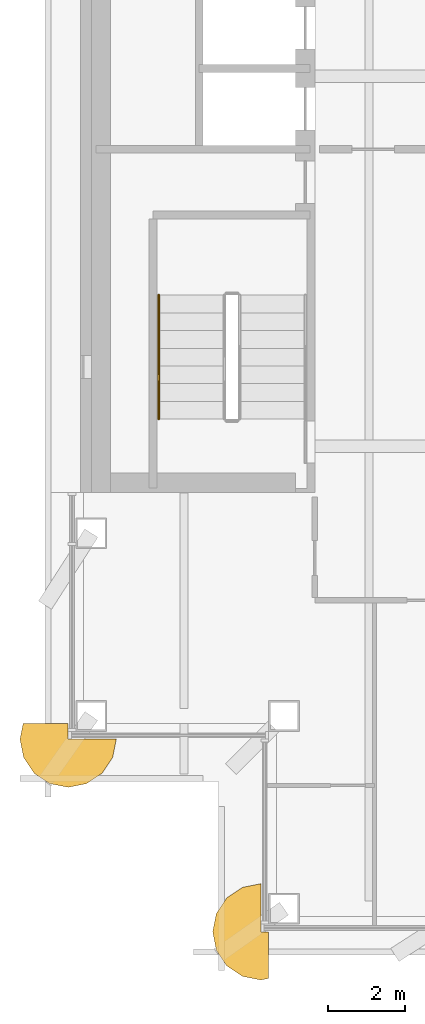
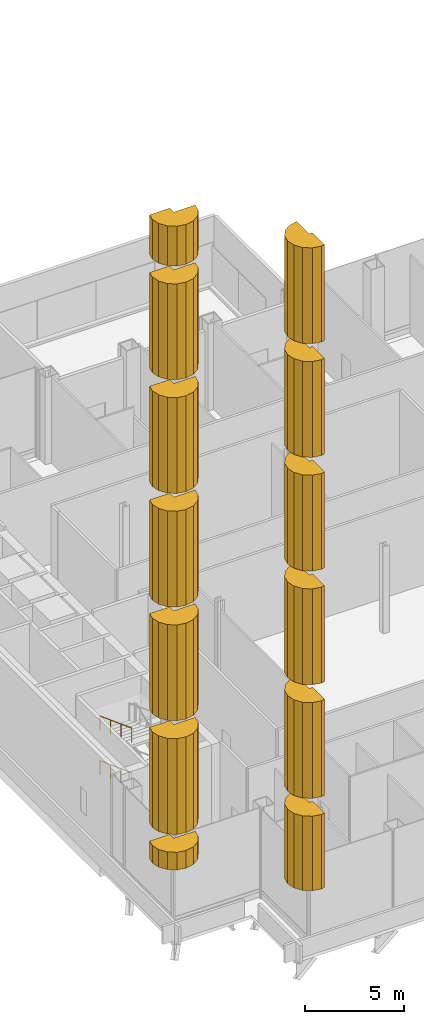
# One storey, part 15 of 22: 13 coverings, 2 railings.
"""IFC4 building model written with IfcOpenShell, lengths in metres."""

import ifcopenshell
import ifcopenshell.guid

model = None  # the IFC model being written
_history = None  # IfcOwnerHistory: only IFC2X3 demands one
_inside = {}  # id of a spatial element -> (the spatial element, [elements in it])
_under = {}  # id of a project, library or spatial element -> (it, [spatial elements below it])
_declared = {}  # id of a project -> (the project, [libraries it declares])
_typed = {}  # id of a type object -> (the type object, [elements of that type])
_made_of = {}  # id of a material, layer set ... -> (it, [elements and type objects made of it])


def new_model(schema):
    """Start an empty IFC model of exactly this schema.

    Asked for "IFC4X3", IfcOpenShell would pick the latest addendum, in which some entities
    have other attributes; the version numbers below select the first issue.
    IFC2X3 requires an IfcOwnerHistory on every rooted entity: one is made here for all.
    """
    global model, _history
    if schema == "IFC4X3":
        model = ifcopenshell.file(schema_version=(4, 3, 0, 0))
    else:
        model = ifcopenshell.file(schema=schema)
    _inside.clear()
    _under.clear()
    _declared.clear()
    _typed.clear()
    _made_of.clear()
    _history = None
    if model.schema == "IFC2X3":
        org = make("IfcOrganization", Name="unknown")
        user = make(
            "IfcPersonAndOrganization",
            ThePerson=make("IfcPerson", FamilyName="unknown"),
            TheOrganization=org,
        )
        app = make(
            "IfcApplication",
            ApplicationDeveloper=org,
            Version="unknown",
            ApplicationFullName="unknown",
            ApplicationIdentifier="unknown",
        )
        _history = make(
            "IfcOwnerHistory",
            OwningUser=user,
            OwningApplication=app,
            ChangeAction="ADDED",
            CreationDate=0,
        )
    return model


def make(cls, **values):
    """One entity of the class cls with the attributes given. An attribute that is None is left unset."""
    return model.create_entity(
        cls, **{name: value for name, value in values.items() if value is not None}
    )


def rooted(cls, **values):
    """An entity with a GlobalId (a new one), such as an element, a storey or a relation."""
    return make(cls, GlobalId=ifcopenshell.guid.new(), OwnerHistory=_history, **values)


def si_unit(unit_type, name, prefix=None):
    """IfcSIUnit, for example si_unit("LENGTHUNIT", "METRE", prefix="MILLI")."""
    return make("IfcSIUnit", UnitType=unit_type, Prefix=prefix, Name=name)


def assignment(units):
    """IfcUnitAssignment: the units of a project."""
    return None if units is None else make("IfcUnitAssignment", Units=units)


def point(xyz):
    """IfcCartesianPoint."""
    return None if xyz is None else make("IfcCartesianPoint", Coordinates=xyz)


def direction(xyz):
    """IfcDirection."""
    return None if xyz is None else make("IfcDirection", DirectionRatios=xyz)


def frame(location, z_axis=None, x_axis=None):
    """IfcAxis2Placement3D, a coordinate frame: its origin and axes. An axis left out is left unset."""
    return make(
        "IfcAxis2Placement3D",
        Location=point(location),
        Axis=direction(z_axis),
        RefDirection=direction(x_axis),
    )


def frame_2d(location, x_axis=None):
    """IfcAxis2Placement2D, a coordinate frame in the plane: its origin and x axis."""
    return make(
        "IfcAxis2Placement2D", Location=point(location), RefDirection=direction(x_axis)
    )


def origin():
    """The frame at (0, 0, 0) with its axes left unset."""
    return frame((0.0, 0.0, 0.0))


def origin_2d():
    """The frame at (0, 0) in the plane with its x axis left unset."""
    return frame_2d((0.0, 0.0))


def place(relative_to, where):
    """IfcLocalPlacement: puts the frame where relative to a parent placement (None: the world)."""
    return make(
        "IfcLocalPlacement", PlacementRelTo=relative_to, RelativePlacement=where
    )


def context(
    kind, dimensions, precision=None, world=None, true_north=None, identifier=None
):
    """IfcGeometricRepresentationContext, for example the 3D "Model" context."""
    return make(
        "IfcGeometricRepresentationContext",
        ContextIdentifier=identifier,
        ContextType=kind,
        CoordinateSpaceDimension=dimensions,
        Precision=precision,
        WorldCoordinateSystem=world,
        TrueNorth=true_north,
    )


def subcontext(parent, identifier, kind, view, scale=None):
    """IfcGeometricRepresentationSubContext, for example "Body" below "Model"."""
    return make(
        "IfcGeometricRepresentationSubContext",
        ContextIdentifier=identifier,
        ContextType=kind,
        ParentContext=parent,
        TargetScale=scale,
        TargetView=view,
    )


def project(units=None, contexts=None):
    """IfcProject with its units and contexts."""
    return rooted(
        "IfcProject",
        Name="project",
        RepresentationContexts=contexts,
        UnitsInContext=assignment(units),
    )


def spatial(cls, under=None, at=None, **own):
    """A site, building, storey or space (cls), placed at a placement, below another one or the project."""
    s = rooted(cls, ObjectPlacement=at, **own)
    if under is not None:
        _under.setdefault(under.id(), (under, []))[1].append(s)
    return s


def polyline(points):
    """IfcPolyline through the points."""
    return make("IfcPolyline", Points=[point(p) for p in points])


def profile(cls, at=None, kind="AREA", **sizes):
    """A parametric profile (cls). Its sizes go by their IFC names, for example OverallWidth=200.0."""
    return make(cls, ProfileType=kind, Position=at, **sizes)


def circle(**sizes):
    """IfcCircleProfileDef."""
    return profile("IfcCircleProfileDef", **sizes)


def outline(outer, holes=None, kind="AREA"):
    """IfcArbitraryClosedProfileDef: a profile drawn as a closed curve; with holes, ...WithVoids."""
    if holes is None:
        return make("IfcArbitraryClosedProfileDef", ProfileType=kind, OuterCurve=outer)
    return make(
        "IfcArbitraryProfileDefWithVoids",
        ProfileType=kind,
        OuterCurve=outer,
        InnerCurves=holes,
    )


def extrude(swept, where, along, depth):
    """IfcExtrudedAreaSolid: the profile swept, set in the frame where, extruded along a direction by depth."""
    return make(
        "IfcExtrudedAreaSolid",
        SweptArea=swept,
        Position=where,
        ExtrudedDirection=direction(along),
        Depth=depth,
    )


def shape(context_of_items, identifier, shape_type, items):
    """IfcShapeRepresentation: the items that make up one representation, for example the "Body"."""
    return make(
        "IfcShapeRepresentation",
        ContextOfItems=context_of_items,
        RepresentationIdentifier=identifier,
        RepresentationType=shape_type,
        Items=items,
    )


def material(Name=None, Category=None):
    """IfcMaterial."""
    return make("IfcMaterial", Name=Name, Category=Category)


def made_of(thing, what):
    """Note that an element or type object is made of a material, layer set ...; save() writes the relation."""
    if what is not None:
        _made_of.setdefault(what.id(), (what, []))[1].append(thing)
    return thing


def type_object(cls, material=None, **own):
    """A type object (cls), such as IfcWallType, which elements share."""
    return made_of(rooted(cls, **own), material)


def element(
    cls,
    number,
    at=None,
    inside=None,
    cuts=None,
    type_object=None,
    material=None,
    context=None,
    identifier="Body",
    shape_type=None,
    held_by="IfcProductDefinitionShape",
    body=None,
    shapes=None,
    **own,
):
    """One element of the class cls, such as IfcWall. Its Tag is "e" and its number.

    at: its placement. inside: the storey or other place that contains it. cuts: it is an
    opening in that element (IfcRelVoidsElement). A single representation is given by context,
    identifier, shape_type and body (its items); several are given by shapes. held_by: the class
    of the entity that holds the representations. save() writes the other relations.
    """
    e = rooted(cls, Tag="e%d" % number, ObjectPlacement=at, **own)
    if body is not None:
        shapes = [shape(context, identifier, shape_type, body)]
    if shapes is not None:
        e.Representation = make(held_by, Representations=shapes)
    if inside is not None:
        _inside.setdefault(inside.id(), (inside, []))[1].append(e)
    if cuts is not None:
        rooted(
            "IfcRelVoidsElement", RelatingBuildingElement=cuts, RelatedOpeningElement=e
        )
    if type_object is not None:
        _typed.setdefault(type_object.id(), (type_object, []))[1].append(e)
    return made_of(e, material)


def aggregate(whole, parts):
    """IfcRelAggregates: a whole, such as a stair, and the parts it consists of."""
    return rooted("IfcRelAggregates", RelatingObject=whole, RelatedObjects=parts)


def save(model, path):
    """Write the relations noted so far, then the file.

    IfcRelAggregates (storeys below a building ...), IfcRelContainedInSpatialStructure (elements
    in a storey), IfcRelDefinesByType, IfcRelAssociatesMaterial and IfcRelDeclares: one each for
    every whole, place, type object, material and project.
    """
    for whole, parts in _under.values():
        aggregate(whole, parts)
    for where, things in _inside.values():
        rooted(
            "IfcRelContainedInSpatialStructure",
            RelatedElements=things,
            RelatingStructure=where,
        )
    for kind, things in _typed.values():
        rooted("IfcRelDefinesByType", RelatedObjects=things, RelatingType=kind)
    for what, things in _made_of.values():
        rooted("IfcRelAssociatesMaterial", RelatedObjects=things, RelatingMaterial=what)
    for by, libraries in _declared.values():
        rooted("IfcRelDeclares", RelatingContext=by, RelatedDefinitions=libraries)
    model.write(path)


model = new_model("IFC4")

# Units and contexts
model_context = context("Model", 3, precision=1e-05, world=origin(), true_north=direction((0.0, 1.0)))
body_context = subcontext(model_context, "Body", "Model", "MODEL_VIEW")
ifc_project = project(units=[si_unit("LENGTHUNIT", "METRE"), si_unit("AREAUNIT", "SQUARE_METRE"), si_unit("VOLUMEUNIT", "CUBIC_METRE"), si_unit("PLANEANGLEUNIT", "RADIAN"), si_unit("MASSUNIT", "GRAM", prefix="KILO")], contexts=[model_context])

# Site, building, storey
site_placement = place(None, origin())
site = spatial("IfcSite", under=ifc_project, at=site_placement, CompositionType="ELEMENT")
building_placement = place(site_placement, origin())
building = spatial("IfcBuilding", under=site, at=building_placement, Name="Cobrizo Arcos Hotel Tower", CompositionType="ELEMENT")
storey_placement = place(building_placement, frame((0.0, 0.0, 142.5)))
storey = spatial("IfcBuildingStorey", under=building, at=storey_placement, Name="L36", CompositionType="ELEMENT", Elevation=142.5)

# Coverings
ifc_material_1 = material(Name="Aluminium 6063-T6 anodised pale", Category="aluminium")
covering_type = type_object("IfcCoveringType", Name="RB-2 notch bullnose roll R1250", PredefinedType="CLADDING", material=ifc_material_1)
covering_1_placement = place(storey_placement, frame((0.0, 0.0, 4.362548828125)))
element("IfcCovering", 1, at=covering_1_placement, inside=storey, type_object=covering_type, Name="Notch bullnose roll 21", PredefinedType="CLADDING", context=body_context, shape_type="SweptSolid", body=[
    extrude(outline(polyline([(-18.083984375, -21.316162109375), (-18.354736328125, -21.7216796875), (-18.449951171875, -22.199951171875), (-18.354736328125, -22.678466796875), (-18.083984375, -23.083984375), (-17.678466796875, -23.354736328125), (-17.199951171875, -23.449951171875), (-17.0, -23.41015625), (-17.0, -22.199951171875), (-17.199951171875, -22.199951171875), (-17.199951171875, -20.949951171875), (-17.678466796875, -21.045166015625), (-18.083984375, -21.316162109375)])), origin(), (0.0, 0.0, 1.0), 4.58740234375),
])
for number, where, name in (
    (2, (0.0, 0.0, 10.050048828125), "Notch bullnose roll 21 part 2"),
    (3, (0.0, 0.0, 17.050048828125), "Notch bullnose roll 21 part 3"),
    (4, (0.0, 0.0, 24.050048828125), "Notch bullnose roll 21 part 4"),
    (5, (0.0, 0.0, 31.050048828125), "Notch bullnose roll 21 part 5"),
    (6, (0.0, 0.0, 38.050048828125), "Notch bullnose roll 21 part 6"),
):
    element("IfcCovering", number, at=place(storey_placement, frame(where)), inside=storey, type_object=covering_type, Name=name, PredefinedType="CLADDING", context=body_context, shape_type="SweptSolid", body=[
        extrude(outline(polyline([(-18.083984375, -21.316162109375), (-18.354736328125, -21.7216796875), (-18.449951171875, -22.199951171875), (-18.354736328125, -22.678466796875), (-18.083984375, -23.083984375), (-17.678466796875, -23.354736328125), (-17.199951171875, -23.449951171875), (-17.0, -23.41015625), (-17.0, -22.199951171875), (-17.199951171875, -22.199951171875), (-17.199951171875, -20.949951171875), (-17.678466796875, -21.045166015625), (-18.083984375, -21.316162109375)])), origin(), (0.0, 0.0, 1.0), 5.89990234375),
    ])
covering_2_placement = place(storey_placement, frame((0.0, 0.0, 4.362548828125)))
element("IfcCovering", 7, at=covering_2_placement, inside=storey, type_object=covering_type, Name="Notch bullnose roll 24", PredefinedType="CLADDING", context=body_context, shape_type="SweptSolid", body=[
    extrude(outline(polyline([(-21.316162109375, -18.083984375), (-21.045166015625, -17.678466796875), (-20.949951171875, -17.199951171875), (-22.199951171875, -17.199951171875), (-22.199951171875, -16.800048828125), (-23.370361328125, -16.800048828125), (-23.449951171875, -17.199951171875), (-23.354736328125, -17.678466796875), (-23.083984375, -18.083984375), (-22.678466796875, -18.354736328125), (-22.199951171875, -18.449951171875), (-21.7216796875, -18.354736328125), (-21.316162109375, -18.083984375)])), origin(), (0.0, 0.0, 1.0), 1.08740234375),
])
for number, where, name in (
    (8, (0.0, 0.0, 6.550048828125), "Notch bullnose roll 24 part 2"),
    (9, (0.0, 0.0, 13.550048828125), "Notch bullnose roll 24 part 3"),
    (10, (0.0, 0.0, 20.550048828125), "Notch bullnose roll 24 part 4"),
    (11, (0.0, 0.0, 27.550048828125), "Notch bullnose roll 24 part 5"),
    (12, (0.0, 0.0, 34.550048828125), "Notch bullnose roll 24 part 6"),
):
    element("IfcCovering", number, at=place(storey_placement, frame(where)), inside=storey, type_object=covering_type, Name=name, PredefinedType="CLADDING", context=body_context, shape_type="SweptSolid", body=[
        extrude(outline(polyline([(-21.316162109375, -18.083984375), (-21.045166015625, -17.678466796875), (-20.949951171875, -17.199951171875), (-22.199951171875, -17.199951171875), (-22.199951171875, -16.800048828125), (-23.370361328125, -16.800048828125), (-23.449951171875, -17.199951171875), (-23.354736328125, -17.678466796875), (-23.083984375, -18.083984375), (-22.678466796875, -18.354736328125), (-22.199951171875, -18.449951171875), (-21.7216796875, -18.354736328125), (-21.316162109375, -18.083984375)])), origin(), (0.0, 0.0, 1.0), 5.89990234375),
    ])
covering_3_placement = place(storey_placement, frame((0.0, 0.0, 41.550048828125)))
element("IfcCovering", 13, at=covering_3_placement, inside=storey, type_object=covering_type, Name="Notch bullnose roll 24 part 7", PredefinedType="CLADDING", context=body_context, shape_type="SweptSolid", body=[
    extrude(outline(polyline([(-21.316162109375, -18.083984375), (-21.045166015625, -17.678466796875), (-20.949951171875, -17.199951171875), (-22.199951171875, -17.199951171875), (-22.199951171875, -16.800048828125), (-23.370361328125, -16.800048828125), (-23.449951171875, -17.199951171875), (-23.354736328125, -17.678466796875), (-23.083984375, -18.083984375), (-22.678466796875, -18.354736328125), (-22.199951171875, -18.449951171875), (-21.7216796875, -18.354736328125), (-21.316162109375, -18.083984375)])), origin(), (0.0, 0.0, 1.0), 2.449951171875),
])

# Railings
ifc_material_2 = material(Name="Stainless steel railing", Category="steel")
railing_type = type_object("IfcRailingType", Name="Stair handrail", PredefinedType="HANDRAIL", material=ifc_material_2)
for number, where, name in (
    (14, (-19.85009765625, -5.679931640625, 1.546875), "L36 ST-W stair handrail 2"),
    (15, (-19.85009765625, -5.679931640625, 4.296875), "L36 ST-W stair handrail 4"),
):
    element("IfcRailing", number, at=place(storey_placement, frame(where)), inside=storey, type_object=railing_type, Name=name, PredefinedType="HANDRAIL", context=body_context, shape_type="SweptSolid", body=[
        extrude(circle(Radius=0.02392578125, at=origin_2d()), frame((0.0, 0.0, 0.8759765625), z_axis=(0.0, -0.936745908249, 0.350010147536), x_axis=(1.0, 0.0, 0.0)), (0.0, 0.0, 1.0), 3.4375),
        extrude(circle(Radius=0.02099609375, at=origin_2d()), origin(), (0.0, 0.0, 1.0), 0.851806640625),
        extrude(circle(Radius=0.02099609375, at=origin_2d()), frame((0.0, -1.0732421875, 0.401123046875)), (0.0, 0.0, 1.0), 0.851806640625),
        extrude(circle(Radius=0.02099609375, at=origin_2d()), frame((0.0, -2.146728515625, 0.802001953125)), (0.0, 0.0, 1.0), 0.851806640625),
        extrude(circle(Radius=0.02099609375, at=origin_2d()), frame((0.0, -3.219970703125, 1.203125)), (0.0, 0.0, 1.0), 0.851806640625),
    ])

save(model, "model.ifc")
